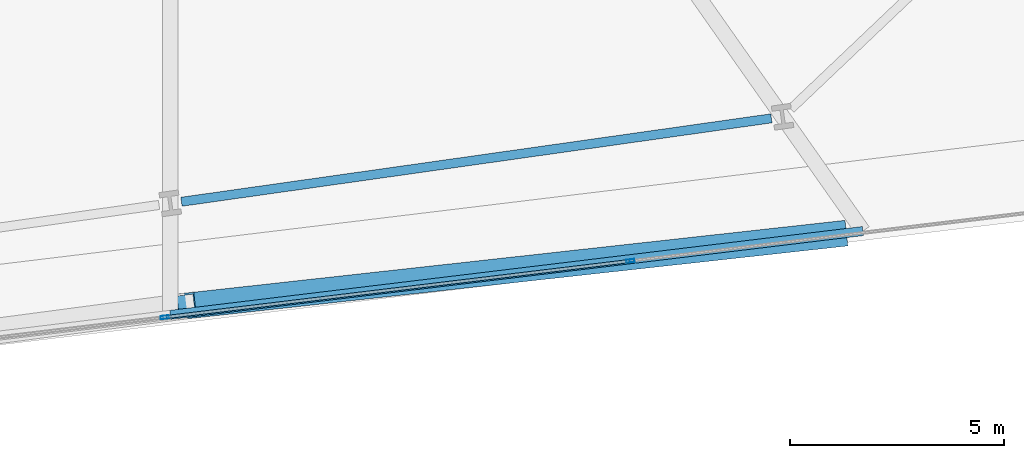
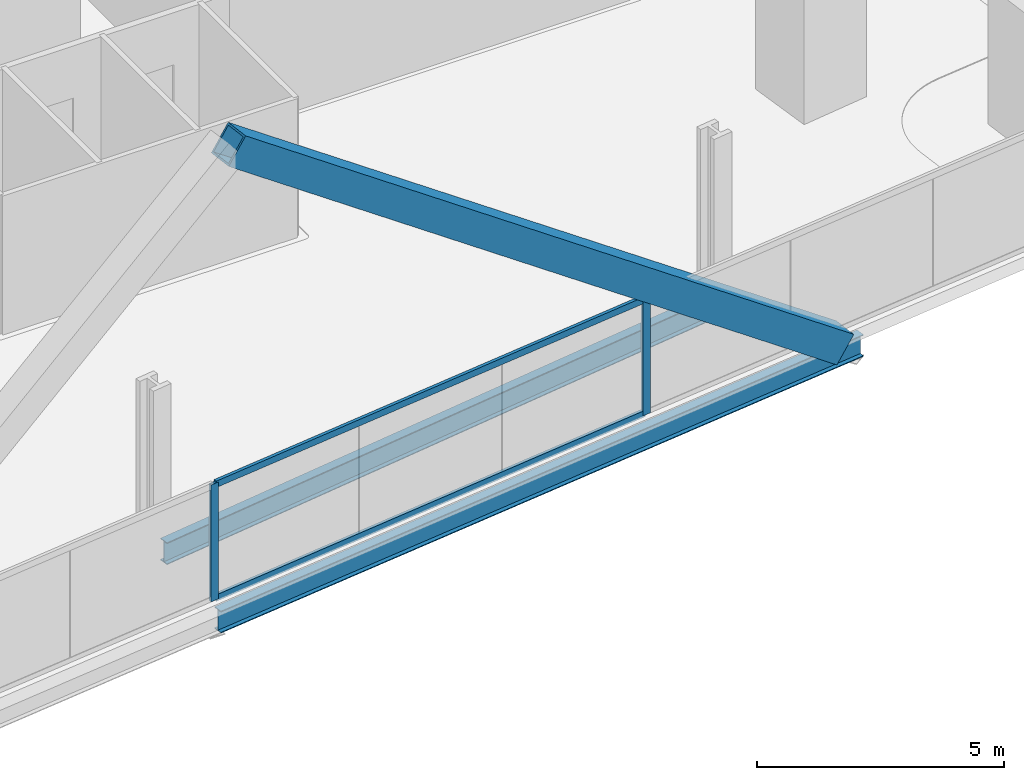
# One storey, part 9 of 33: 5 members, 2 beams, 1 element without a shape of its own.
"""IFC4 building model written with IfcOpenShell, lengths in metres."""

import ifcopenshell
import ifcopenshell.guid

model = None  # the IFC model being written
_history = None  # IfcOwnerHistory: only IFC2X3 demands one
_inside = {}  # id of a spatial element -> (the spatial element, [elements in it])
_under = {}  # id of a project, library or spatial element -> (it, [spatial elements below it])
_declared = {}  # id of a project -> (the project, [libraries it declares])
_typed = {}  # id of a type object -> (the type object, [elements of that type])
_made_of = {}  # id of a material, layer set ... -> (it, [elements and type objects made of it])


def new_model(schema):
    """Start an empty IFC model of exactly this schema.

    Asked for "IFC4X3", IfcOpenShell would pick the latest addendum, in which some entities
    have other attributes; the version numbers below select the first issue.
    IFC2X3 requires an IfcOwnerHistory on every rooted entity: one is made here for all.
    """
    global model, _history
    if schema == "IFC4X3":
        model = ifcopenshell.file(schema_version=(4, 3, 0, 0))
    else:
        model = ifcopenshell.file(schema=schema)
    _inside.clear()
    _under.clear()
    _declared.clear()
    _typed.clear()
    _made_of.clear()
    _history = None
    if model.schema == "IFC2X3":
        org = make("IfcOrganization", Name="unknown")
        user = make(
            "IfcPersonAndOrganization",
            ThePerson=make("IfcPerson", FamilyName="unknown"),
            TheOrganization=org,
        )
        app = make(
            "IfcApplication",
            ApplicationDeveloper=org,
            Version="unknown",
            ApplicationFullName="unknown",
            ApplicationIdentifier="unknown",
        )
        _history = make(
            "IfcOwnerHistory",
            OwningUser=user,
            OwningApplication=app,
            ChangeAction="ADDED",
            CreationDate=0,
        )
    return model


def make(cls, **values):
    """One entity of the class cls with the attributes given. An attribute that is None is left unset."""
    return model.create_entity(
        cls, **{name: value for name, value in values.items() if value is not None}
    )


def rooted(cls, **values):
    """An entity with a GlobalId (a new one), such as an element, a storey or a relation."""
    return make(cls, GlobalId=ifcopenshell.guid.new(), OwnerHistory=_history, **values)


def si_unit(unit_type, name, prefix=None):
    """IfcSIUnit, for example si_unit("LENGTHUNIT", "METRE", prefix="MILLI")."""
    return make("IfcSIUnit", UnitType=unit_type, Prefix=prefix, Name=name)


def assignment(units):
    """IfcUnitAssignment: the units of a project."""
    return None if units is None else make("IfcUnitAssignment", Units=units)


def point(xyz):
    """IfcCartesianPoint."""
    return None if xyz is None else make("IfcCartesianPoint", Coordinates=xyz)


def direction(xyz):
    """IfcDirection."""
    return None if xyz is None else make("IfcDirection", DirectionRatios=xyz)


def frame(location, z_axis=None, x_axis=None):
    """IfcAxis2Placement3D, a coordinate frame: its origin and axes. An axis left out is left unset."""
    return make(
        "IfcAxis2Placement3D",
        Location=point(location),
        Axis=direction(z_axis),
        RefDirection=direction(x_axis),
    )


def frame_2d(location, x_axis=None):
    """IfcAxis2Placement2D, a coordinate frame in the plane: its origin and x axis."""
    return make(
        "IfcAxis2Placement2D", Location=point(location), RefDirection=direction(x_axis)
    )


def origin():
    """The frame at (0, 0, 0) with its axes left unset."""
    return frame((0.0, 0.0, 0.0))


def origin_2d():
    """The frame at (0, 0) in the plane with its x axis left unset."""
    return frame_2d((0.0, 0.0))


def place(relative_to, where):
    """IfcLocalPlacement: puts the frame where relative to a parent placement (None: the world)."""
    return make(
        "IfcLocalPlacement", PlacementRelTo=relative_to, RelativePlacement=where
    )


def context(
    kind, dimensions, precision=None, world=None, true_north=None, identifier=None
):
    """IfcGeometricRepresentationContext, for example the 3D "Model" context."""
    return make(
        "IfcGeometricRepresentationContext",
        ContextIdentifier=identifier,
        ContextType=kind,
        CoordinateSpaceDimension=dimensions,
        Precision=precision,
        WorldCoordinateSystem=world,
        TrueNorth=true_north,
    )


def subcontext(parent, identifier, kind, view, scale=None):
    """IfcGeometricRepresentationSubContext, for example "Body" below "Model"."""
    return make(
        "IfcGeometricRepresentationSubContext",
        ContextIdentifier=identifier,
        ContextType=kind,
        ParentContext=parent,
        TargetScale=scale,
        TargetView=view,
    )


def project(units=None, contexts=None):
    """IfcProject with its units and contexts."""
    return rooted(
        "IfcProject",
        Name="project",
        RepresentationContexts=contexts,
        UnitsInContext=assignment(units),
    )


def spatial(cls, under=None, at=None, **own):
    """A site, building, storey or space (cls), placed at a placement, below another one or the project."""
    s = rooted(cls, ObjectPlacement=at, **own)
    if under is not None:
        _under.setdefault(under.id(), (under, []))[1].append(s)
    return s


def profile(cls, at=None, kind="AREA", **sizes):
    """A parametric profile (cls). Its sizes go by their IFC names, for example OverallWidth=200.0."""
    return make(cls, ProfileType=kind, Position=at, **sizes)


def hollow_rectangle(**sizes):
    """IfcRectangleHollowProfileDef."""
    return profile("IfcRectangleHollowProfileDef", **sizes)


def i_section(**sizes):
    """IfcIShapeProfileDef."""
    return profile("IfcIShapeProfileDef", **sizes)


def extrude(swept, where, along, depth):
    """IfcExtrudedAreaSolid: the profile swept, set in the frame where, extruded along a direction by depth."""
    return make(
        "IfcExtrudedAreaSolid",
        SweptArea=swept,
        Position=where,
        ExtrudedDirection=direction(along),
        Depth=depth,
    )


def shape(context_of_items, identifier, shape_type, items):
    """IfcShapeRepresentation: the items that make up one representation, for example the "Body"."""
    return make(
        "IfcShapeRepresentation",
        ContextOfItems=context_of_items,
        RepresentationIdentifier=identifier,
        RepresentationType=shape_type,
        Items=items,
    )


def material(Name=None, Category=None):
    """IfcMaterial."""
    return make("IfcMaterial", Name=Name, Category=Category)


def material_profile(
    of_material, cross_section, Name=None, Category=None, Priority=None
):
    """IfcMaterialProfile: a cross section and its material."""
    return make(
        "IfcMaterialProfile",
        Name=Name,
        Material=of_material,
        Profile=cross_section,
        Priority=Priority,
        Category=Category,
    )


def profile_set(profiles, Name=None, composite=None):
    """IfcMaterialProfileSet."""
    return make(
        "IfcMaterialProfileSet",
        Name=Name,
        MaterialProfiles=profiles,
        CompositeProfile=composite,
    )


def made_of(thing, what):
    """Note that an element or type object is made of a material, layer set ...; save() writes the relation."""
    if what is not None:
        _made_of.setdefault(what.id(), (what, []))[1].append(thing)
    return thing


def type_object(cls, material=None, **own):
    """A type object (cls), such as IfcWallType, which elements share."""
    return made_of(rooted(cls, **own), material)


def element(
    cls,
    number,
    at=None,
    inside=None,
    cuts=None,
    type_object=None,
    material=None,
    context=None,
    identifier="Body",
    shape_type=None,
    held_by="IfcProductDefinitionShape",
    body=None,
    shapes=None,
    **own,
):
    """One element of the class cls, such as IfcWall. Its Tag is "e" and its number.

    at: its placement. inside: the storey or other place that contains it. cuts: it is an
    opening in that element (IfcRelVoidsElement). A single representation is given by context,
    identifier, shape_type and body (its items); several are given by shapes. held_by: the class
    of the entity that holds the representations. save() writes the other relations.
    """
    e = rooted(cls, Tag="e%d" % number, ObjectPlacement=at, **own)
    if body is not None:
        shapes = [shape(context, identifier, shape_type, body)]
    if shapes is not None:
        e.Representation = make(held_by, Representations=shapes)
    if inside is not None:
        _inside.setdefault(inside.id(), (inside, []))[1].append(e)
    if cuts is not None:
        rooted(
            "IfcRelVoidsElement", RelatingBuildingElement=cuts, RelatedOpeningElement=e
        )
    if type_object is not None:
        _typed.setdefault(type_object.id(), (type_object, []))[1].append(e)
    return made_of(e, material)


def aggregate(whole, parts):
    """IfcRelAggregates: a whole, such as a stair, and the parts it consists of."""
    return rooted("IfcRelAggregates", RelatingObject=whole, RelatedObjects=parts)


def save(model, path):
    """Write the relations noted so far, then the file.

    IfcRelAggregates (storeys below a building ...), IfcRelContainedInSpatialStructure (elements
    in a storey), IfcRelDefinesByType, IfcRelAssociatesMaterial and IfcRelDeclares: one each for
    every whole, place, type object, material and project.
    """
    for whole, parts in _under.values():
        aggregate(whole, parts)
    for where, things in _inside.values():
        rooted(
            "IfcRelContainedInSpatialStructure",
            RelatedElements=things,
            RelatingStructure=where,
        )
    for kind, things in _typed.values():
        rooted("IfcRelDefinesByType", RelatedObjects=things, RelatingType=kind)
    for what, things in _made_of.values():
        rooted("IfcRelAssociatesMaterial", RelatedObjects=things, RelatingMaterial=what)
    for by, libraries in _declared.values():
        rooted("IfcRelDeclares", RelatingContext=by, RelatedDefinitions=libraries)
    model.write(path)


model = new_model("IFC4")

# Units and contexts
model_context = context("Model", 3, precision=1e-05, world=origin(), true_north=direction((0.0, 1.0)))
body_context = subcontext(model_context, "Body", "Model", "MODEL_VIEW")
ifc_project = project(units=[si_unit("LENGTHUNIT", "METRE"), si_unit("AREAUNIT", "SQUARE_METRE"), si_unit("VOLUMEUNIT", "CUBIC_METRE"), si_unit("PLANEANGLEUNIT", "RADIAN"), si_unit("MASSUNIT", "GRAM", prefix="KILO")], contexts=[model_context])

# Site, building, storey
site_placement = place(None, origin())
site = spatial("IfcSite", under=ifc_project, at=site_placement, CompositionType="ELEMENT")
building_placement = place(site_placement, origin())
building = spatial("IfcBuilding", under=site, at=building_placement, Name="Haldenkirk Collegiate Tower", CompositionType="ELEMENT")
storey_placement = place(building_placement, frame((0.0, 0.0, 51.449951171875)))
storey = spatial("IfcBuildingStorey", under=building, at=storey_placement, Name="L11", CompositionType="ELEMENT", Elevation=51.449951171875)

# Beams
ifc_material_1 = material(Name="Steel ASTM A992 Grade 50", Category="steel")
ifc_material_profile_1 = material_profile(ifc_material_1, i_section(OverallWidth=0.2119140625, OverallDepth=0.5439453125, WebThickness=0.01318359375, FlangeThickness=0.021240234375, at=origin_2d()), Name="W21X83")
ifc_profile_set_1 = profile_set([ifc_material_profile_1], Name="Steel ASTM A992 Grade 50")
beam_type = type_object("IfcBeamType", Name="BM-SPANDREL-W21X83", PredefinedType="SPANDREL", material=ifc_profile_set_1)
beam_1_placement = place(storey_placement, frame((39.37060546875, 4.055908203125, -0.58203125), z_axis=(0.990146197746, 0.14003752029, 0.0), x_axis=(-0.14003752029, 0.990146197746, 0.0)))
element("IfcBeam", 1, at=beam_1_placement, inside=storey, type_object=beam_type, Name="L11 perimeter spandrel beam 03", PredefinedType="SPANDREL", context=body_context, shape_type="SweptSolid", body=[
    extrude(i_section(OverallWidth=0.2119140625, OverallDepth=0.5439453125, WebThickness=0.01318359375, FlangeThickness=0.021240234375, at=origin_2d()), origin(), (0.0, 0.0, 1.0), 13.906982421875),
])
beam_2_placement = place(storey_placement, frame((39.10888671875, 1.415283203125, -0.58203125), z_axis=(0.992755959118, 0.120148265218, 0.0), x_axis=(-0.120148265218, 0.992755959118, 0.0)))
element("IfcBeam", 2, at=beam_2_placement, inside=storey, type_object=beam_type, Name="L11 outer facade edge beam 1B", PredefinedType="SPANDREL", context=body_context, shape_type="SweptSolid", body=[
    extrude(i_section(OverallWidth=0.2119140625, OverallDepth=0.5439453125, WebThickness=0.01318359375, FlangeThickness=0.021240234375, at=origin_2d()), origin(), (0.0, 0.0, 1.0), 16.286376953125),
])

# Curtain wall, members
ifc_material_2 = material(Name="Anodised architectural bronze aluminium", Category="aluminium")
curtain_wall_type = type_object("IfcCurtainWallType", Name="CW-SYS2-CONCAVE", PredefinedType="USERDEFINED", material=ifc_material_2)
curtain_wall_placement = place(storey_placement, origin())
curtain_wall = element("IfcCurtainWall", 3, at=curtain_wall_placement, inside=storey, type_object=curtain_wall_type, Name="L11 South concave recessed bronze-anodised curtain wall", ObjectType="UNITISED CURTAIN WALL", PredefinedType="USERDEFINED")
ifc_material_profile_2 = material_profile(ifc_material_2, hollow_rectangle(XDim=0.074951171875, YDim=0.18994140625, WallThickness=0.0048828125, at=origin_2d()), Name="CW-MUL-02")
ifc_profile_set_2 = profile_set([ifc_material_profile_2], Name="Anodised architectural bronze aluminium")
member_type_1 = type_object("IfcMemberType", Name="CW-MUL-02", PredefinedType="MULLION", material=ifc_profile_set_2)
member_1_placement = place(storey_placement, frame((49.8525390625, 2.67529296875, 0.0), z_axis=(0.0, 0.0, 1.0), x_axis=(0.120139429238, -0.992757028453, 0.0)))
member_1 = element("IfcMember", 4, at=member_1_placement, type_object=member_type_1, Name="CW-02 mullion 2", PredefinedType="MULLION", context=body_context, shape_type="SweptSolid", body=[
    extrude(hollow_rectangle(XDim=0.074951171875, YDim=0.18994140625, WallThickness=0.0048828125, at=origin_2d()), origin(), (0.0, 0.0, 1.0), 2.89111328125),
])
member_2_placement = place(storey_placement, frame((38.98193359375, 1.35986328125, 0.0), z_axis=(0.0, 0.0, 1.0), x_axis=(0.120139429238, -0.992757028453, 0.0)))
member_2 = element("IfcMember", 5, at=member_2_placement, type_object=member_type_1, Name="CW-02 mullion 3", PredefinedType="MULLION", context=body_context, shape_type="SweptSolid", body=[
    extrude(hollow_rectangle(XDim=0.074951171875, YDim=0.18994140625, WallThickness=0.0048828125, at=origin_2d()), origin(), (0.0, 0.0, 1.0), 2.89111328125),
])
ifc_material_profile_3 = material_profile(ifc_material_2, hollow_rectangle(XDim=0.074951171875, YDim=0.159912109375, WallThickness=0.0048828125, at=origin_2d()), Name="CW-TRN-02")
ifc_profile_set_3 = profile_set([ifc_material_profile_3], Name="Anodised architectural bronze aluminium")
member_type_2 = type_object("IfcMemberType", Name="CW-TRN-02", PredefinedType="USERDEFINED", material=ifc_profile_set_3)
member_3_placement = place(storey_placement, frame((49.815185546875, 2.670654296875, 0.03759765625), z_axis=(-0.9927582228, -0.12012955949, 0.0), x_axis=(0.12012955949, -0.9927582228, 0.0)))
member_3 = element("IfcMember", 6, at=member_3_placement, type_object=member_type_2, Name="CW-02 transom 2.1", ObjectType="TRANSOM", PredefinedType="USERDEFINED", context=body_context, shape_type="SweptSolid", body=[
    extrude(hollow_rectangle(XDim=0.074951171875, YDim=0.159912109375, WallThickness=0.0048828125, at=origin_2d()), origin(), (0.0, 0.0, 1.0), 10.875),
])
member_4_placement = place(storey_placement, frame((49.815185546875, 2.670654296875, 2.853515625), z_axis=(-0.9927582228, -0.12012955949, 0.0), x_axis=(0.12012955949, -0.9927582228, 0.0)))
member_4 = element("IfcMember", 7, at=member_4_placement, type_object=member_type_2, Name="CW-02 transom 2.2", ObjectType="TRANSOM", PredefinedType="USERDEFINED", context=body_context, shape_type="SweptSolid", body=[
    extrude(hollow_rectangle(XDim=0.074951171875, YDim=0.159912109375, WallThickness=0.0048828125, at=origin_2d()), origin(), (0.0, 0.0, 1.0), 10.875),
])
aggregate(curtain_wall, [member_1, member_2, member_3, member_4])

# Member
ifc_material_3 = material(Name="Steel ASTM A572 Grade 50", Category="steel")
ifc_material_profile_4 = material_profile(ifc_material_3, hollow_rectangle(XDim=0.60009765625, YDim=0.719970703125, WallThickness=0.044921875, at=origin_2d()), Name="BOX720X600X45")
ifc_profile_set_4 = profile_set([ifc_material_profile_4], Name="Steel ASTM A572 Grade 50")
member_type_3 = type_object("IfcMemberType", Name="MBR-MEGABRACE-BOX720X600X45", PredefinedType="BRACE", material=ifc_profile_set_4)
member_5_placement = place(storey_placement, frame((54.681640625, 3.2998046875, -0.320068359375), z_axis=(-0.800705450834, -0.088298635495, 0.592515090081), x_axis=(0.109611582787, -0.993974497117, 0.0)))
element("IfcMember", 8, at=member_5_placement, inside=storey, type_object=member_type_3, Name="Perimeter Mega Brace Z1 L11-L13 SR", PredefinedType="BRACE", context=body_context, shape_type="SweptSolid", body=[
    extrude(hollow_rectangle(XDim=0.60009765625, YDim=0.719970703125, WallThickness=0.044921875, at=origin_2d()), origin(), (0.0, 0.0, 1.0), 18.98681640625),
])

save(model, "model.ifc")
